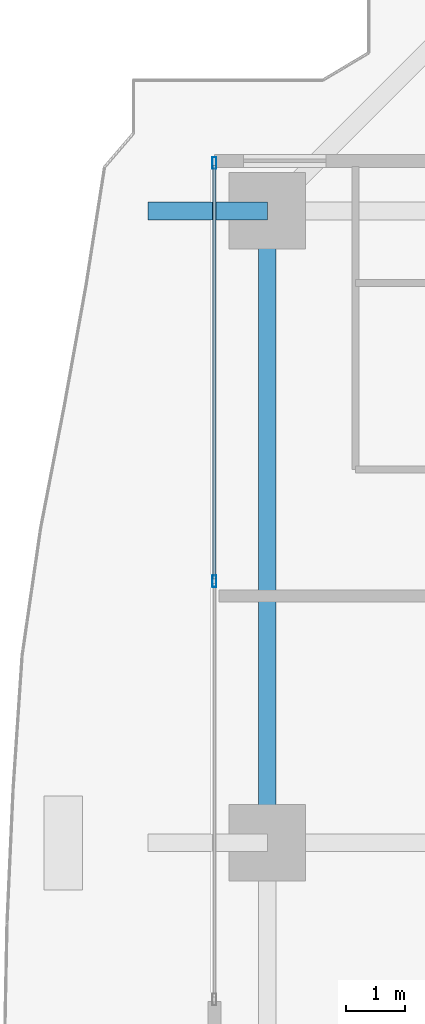
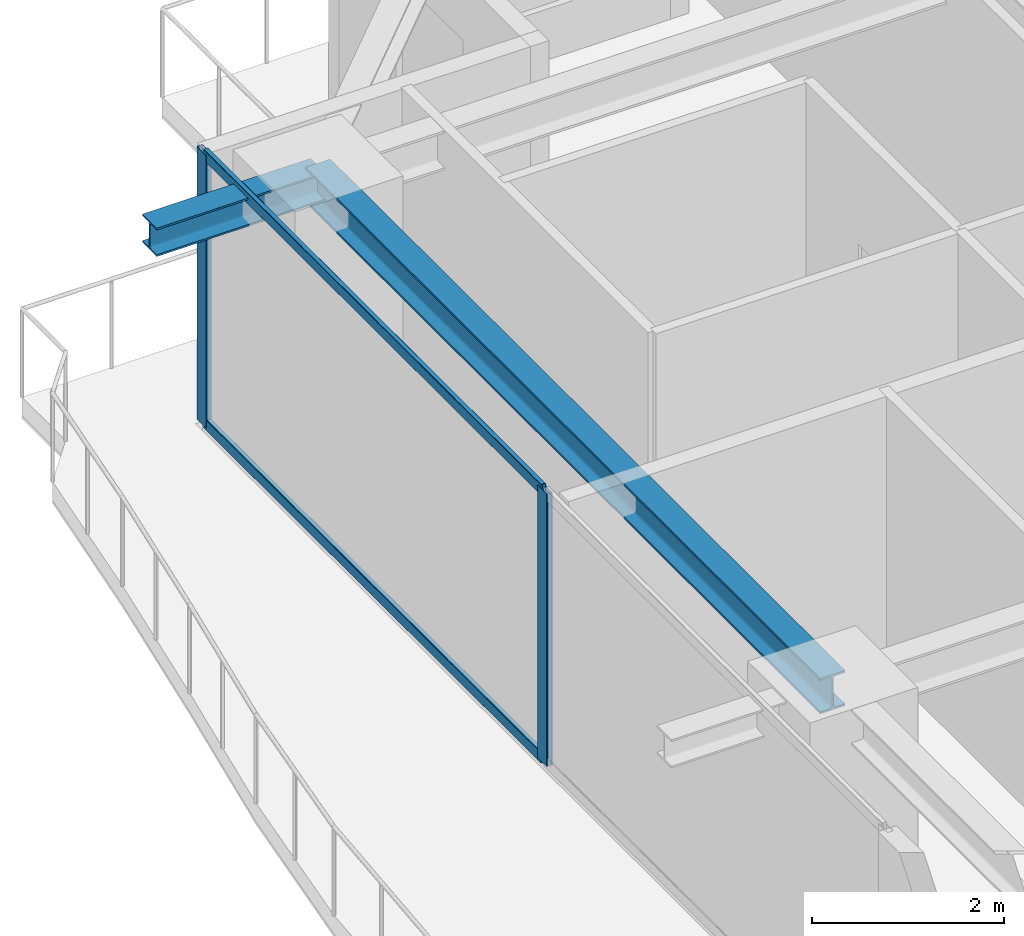
# One storey, part 16 of 34: 4 members, 2 beams, 1 element without a shape of its own.
"""IFC4 building model written with IfcOpenShell, lengths in metres."""

from ifc_helpers import new_model, si_unit, direction, frame, origin, origin_2d, place, context, subcontext, project, spatial, hollow_rectangle, i_section, extrude, source, transform, mapped, material, layer, layer_set, material_profile, profile_set, type_object, element, aggregate, save


model = new_model("IFC4")

# Units and contexts
model_context = context("Model", 3, precision=1e-05, world=origin(), true_north=direction((0.0, 1.0)))
body_context = subcontext(model_context, "Body", "Model", "MODEL_VIEW")
ifc_project = project(units=[si_unit("LENGTHUNIT", "METRE"), si_unit("AREAUNIT", "SQUARE_METRE"), si_unit("VOLUMEUNIT", "CUBIC_METRE"), si_unit("PLANEANGLEUNIT", "RADIAN"), si_unit("MASSUNIT", "GRAM", prefix="KILO")], contexts=[model_context])

# Site, building, storey
site_placement = place(None, origin())
site = spatial("IfcSite", under=ifc_project, at=site_placement, CompositionType="ELEMENT")
building_placement = place(site_placement, origin())
building = spatial("IfcBuilding", under=site, at=building_placement, Name="Serunith Strait Residences", CompositionType="ELEMENT")
storey_placement = place(building_placement, frame((0.0, 0.0, 187.64990234375)))
storey = spatial("IfcBuildingStorey", under=building, at=storey_placement, Name="L47", CompositionType="ELEMENT", Elevation=187.64990234375)

# Beams
ifc_material_1 = material(Name="Steel S355J2", Category="steel")
ifc_material_profile_1 = material_profile(ifc_material_1, i_section(OverallWidth=0.300048828125, OverallDepth=0.449951171875, WebThickness=0.013916015625, FlangeThickness=0.02587890625, FilletRadius=0.027099609375, at=origin_2d()), Name="HEB 450")
ifc_profile_set_1 = profile_set([ifc_material_profile_1], Name="Steel S355J2")
beam_type_1 = type_object("IfcBeamType", Name="BM-HEB450", PredefinedType="BEAM", material=ifc_profile_set_1)
shared_shape_1 = source(origin(), body_context, "Body", "SweptSolid", [
    extrude(i_section(OverallWidth=0.300048828125, OverallDepth=0.449951171875, WebThickness=0.013916015625, FlangeThickness=0.02587890625, FilletRadius=0.027099609375, at=origin_2d()), origin(), (0.0, 0.0, 1.0), 10.75),
])
beam_1_placement = place(storey_placement, frame((8.699951171875, 40.14990234375, 3.26220703125), z_axis=(0.0, -1.0, 0.0), x_axis=(1.0, 0.0, 0.0)))
element("IfcBeam", 1, at=beam_1_placement, inside=storey, type_object=beam_type_1, Name="L47 Perimeter Ring Beam 13", PredefinedType="BEAM", context=body_context, shape_type="MappedRepresentation", body=[
    mapped(shared_shape_1, transform((0.0, 0.0, 0.0), scale=1.0)),
])
ifc_material_profile_2 = material_profile(ifc_material_1, i_section(OverallWidth=0.300048828125, OverallDepth=0.360107421875, WebThickness=0.012451171875, FlangeThickness=0.0224609375, FilletRadius=0.027099609375, at=origin_2d()), Name="HEB 360")
ifc_profile_set_2 = profile_set([ifc_material_profile_2], Name="Steel S355J2")
beam_type_2 = type_object("IfcBeamType", Name="BM-HEB360", PredefinedType="BEAM", material=ifc_profile_set_2)
shared_shape_2 = source(origin(), body_context, "Body", "SweptSolid", [
    extrude(i_section(OverallWidth=0.300048828125, OverallDepth=0.360107421875, WebThickness=0.012451171875, FlangeThickness=0.0224609375, FilletRadius=0.027099609375, at=origin_2d()), origin(), (0.0, 0.0, 1.0), 2.030029296875),
])
beam_2_placement = place(storey_placement, frame((8.699951171875, 40.14990234375, 3.277099609375), z_axis=(-1.0, 0.0, 0.0), x_axis=(0.0, -1.0, 0.0)))
element("IfcBeam", 2, at=beam_2_placement, inside=storey, type_object=beam_type_2, Name="L48 Cantilevered Balcony Rib TC-W4", PredefinedType="BEAM", context=body_context, shape_type="MappedRepresentation", body=[
    mapped(shared_shape_2, transform((0.0, 0.0, 0.0), scale=1.0)),
])

# Curtain wall, members
ifc_material_2 = material(Name="Pale-Champagne Anodised Aluminium", Category="aluminium")
ifc_layer = layer(ifc_material_2, 0.199951171875, Name="Pale-Champagne Anodised Aluminium")
ifc_layer_set = layer_set([ifc_layer], Name="Pale-Champagne Anodised Aluminium")
curtain_wall_type = type_object("IfcCurtainWallType", Name="CW-SYS2", PredefinedType="NOTDEFINED", material=ifc_layer_set)
curtain_wall_placement = place(storey_placement, origin())
curtain_wall = element("IfcCurtainWall", 3, at=curtain_wall_placement, inside=storey, type_object=curtain_wall_type, Name="L47 W Unitised Fritted Curtain Wall", PredefinedType="NOTDEFINED")
ifc_material_profile_3 = material_profile(ifc_material_2, hollow_rectangle(XDim=0.070068359375, YDim=0.199951171875, WallThickness=0.00390625, InnerFilletRadius=0.006103515625, OuterFilletRadius=0.010009765625, at=origin_2d()), Name="ALU 200x70x4")
ifc_profile_set_3 = profile_set([ifc_material_profile_3], Name="Pale-Champagne Anodised Aluminium")
member_type_1 = type_object("IfcMemberType", Name="CW-SYS2-MULL", PredefinedType="MULLION", material=ifc_profile_set_3)
shared_shape_3 = source(origin(), body_context, "Body", "SweptSolid", [
    extrude(hollow_rectangle(XDim=0.070068359375, YDim=0.199951171875, WallThickness=0.00390625, InnerFilletRadius=0.006103515625, OuterFilletRadius=0.010009765625, at=origin_2d()), origin(), (0.0, 0.0, 1.0), 3.47509765625),
])
member_1_placement = place(storey_placement, frame((7.800048828125, 40.965087890625, 0.0), z_axis=(0.0, 0.0, 1.0), x_axis=(1.0, 0.0, 0.0)))
member_1 = element("IfcMember", 4, at=member_1_placement, type_object=member_type_1, Name="CW-2 mullion 1", PredefinedType="MULLION", context=body_context, shape_type="MappedRepresentation", body=[
    mapped(shared_shape_3, transform((0.0, 0.0, 0.0), scale=1.0)),
])
member_2_placement = place(storey_placement, frame((7.800048828125, 33.85009765625, 0.0), z_axis=(0.0, 0.0, 1.0), x_axis=(1.0, 0.0, 0.0)))
member_2 = element("IfcMember", 5, at=member_2_placement, type_object=member_type_1, Name="CW-2 mullion 2", PredefinedType="MULLION", context=body_context, shape_type="MappedRepresentation", body=[
    mapped(shared_shape_3, transform((0.0, 0.0, 0.0), scale=1.0)),
])
ifc_material_profile_4 = material_profile(ifc_material_2, hollow_rectangle(XDim=0.06005859375, YDim=0.139892578125, WallThickness=0.00341796875, InnerFilletRadius=0.00537109375, OuterFilletRadius=0.0087890625, at=origin_2d()), Name="ALU 140x60x3.5")
ifc_profile_set_4 = profile_set([ifc_material_profile_4], Name="Pale-Champagne Anodised Aluminium")
member_type_2 = type_object("IfcMemberType", Name="CW-SYS2-TRAN", PredefinedType="USERDEFINED", material=ifc_profile_set_4)
shared_shape_4 = source(origin(), body_context, "Body", "SweptSolid", [
    extrude(hollow_rectangle(XDim=0.06005859375, YDim=0.139892578125, WallThickness=0.00341796875, InnerFilletRadius=0.00537109375, OuterFilletRadius=0.0087890625, at=origin_2d()), origin(), (0.0, 0.0, 1.0), 7.044921875),
])
member_3_placement = place(storey_placement, frame((7.800048828125, 40.929931640625, 0.030029296875), z_axis=(0.0, -1.0, 0.0), x_axis=(1.0, 0.0, 0.0)))
member_3 = element("IfcMember", 6, at=member_3_placement, type_object=member_type_2, Name="CW-2 transom 1.1", ObjectType="TRANSOM", PredefinedType="USERDEFINED", context=body_context, shape_type="MappedRepresentation", body=[
    mapped(shared_shape_4, transform((0.0, 0.0, 0.0), scale=1.0)),
])
member_4_placement = place(storey_placement, frame((7.800048828125, 40.929931640625, 3.445068359375), z_axis=(0.0, -1.0, 0.0), x_axis=(1.0, 0.0, 0.0)))
member_4 = element("IfcMember", 7, at=member_4_placement, type_object=member_type_2, Name="CW-2 transom 1.2", ObjectType="TRANSOM", PredefinedType="USERDEFINED", context=body_context, shape_type="MappedRepresentation", body=[
    mapped(shared_shape_4, transform((0.0, 0.0, 0.0), scale=1.0)),
])
aggregate(curtain_wall, [member_1, member_2, member_3, member_4])

save(model, "model.ifc")
